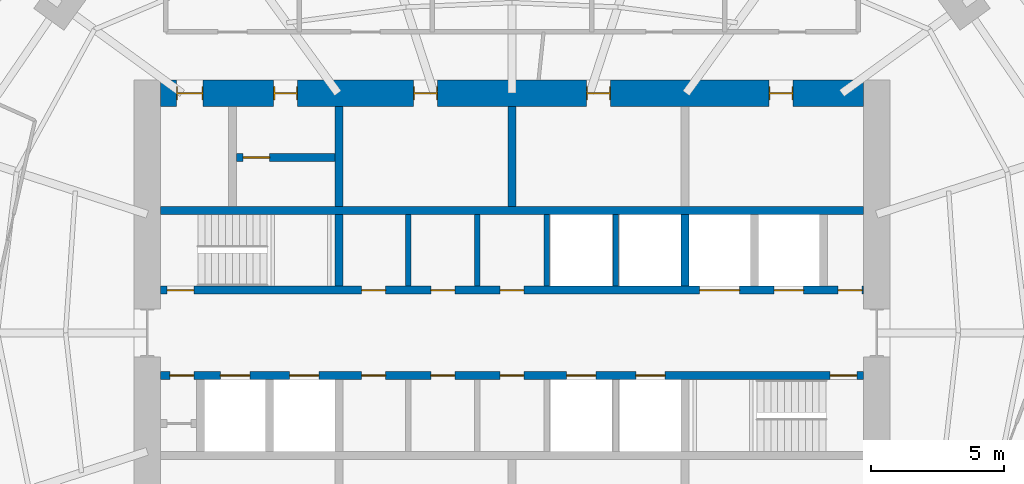
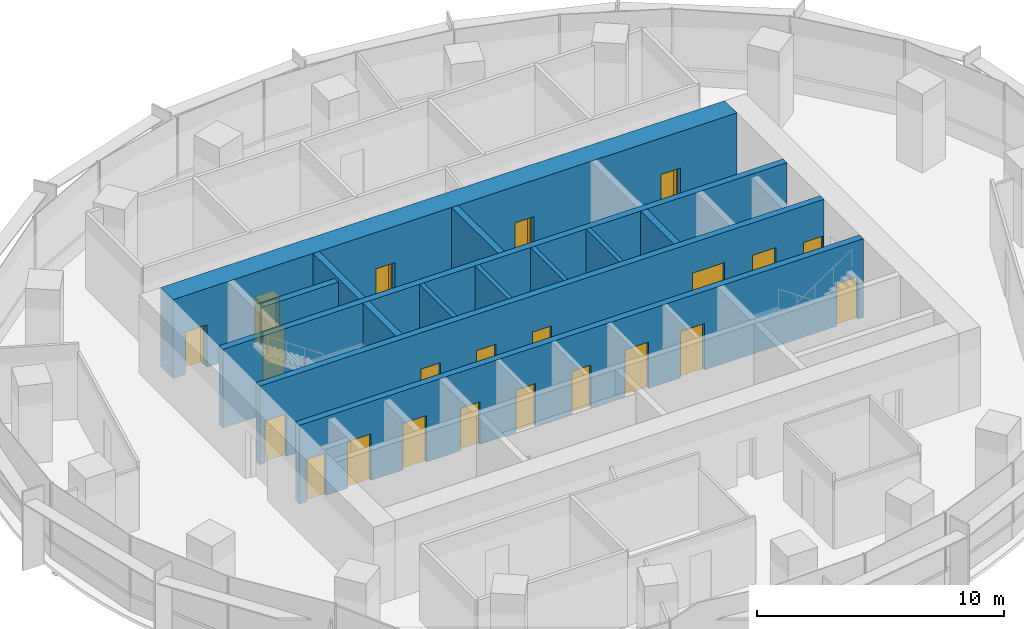
# One storey, part 11 of 14: 22 doors, 13 walls, 22 openings.
"""IFC4 building model written with IfcOpenShell, lengths in metres."""

from ifc_helpers import new_model, si_unit, direction, frame, frame_2d, origin, place, context, subcontext, project, spatial, rectangle, extrude, material, layer, layer_set, type_object, element, fill, save


model = new_model("IFC4")

# Units and contexts
model_context = context("Model", 3, precision=1e-05, world=origin(), true_north=direction((0.0, 1.0)))
body_context = subcontext(model_context, "Body", "Model", "MODEL_VIEW")
ifc_project = project(units=[si_unit("LENGTHUNIT", "METRE"), si_unit("AREAUNIT", "SQUARE_METRE"), si_unit("VOLUMEUNIT", "CUBIC_METRE"), si_unit("PLANEANGLEUNIT", "RADIAN"), si_unit("MASSUNIT", "GRAM", prefix="KILO")], contexts=[model_context])

# Site, building, storey
site_placement = place(None, origin())
site = spatial("IfcSite", under=ifc_project, at=site_placement, CompositionType="ELEMENT")
building_placement = place(site_placement, origin())
building = spatial("IfcBuilding", under=site, at=building_placement, Name="Marramba Exchange Tower", CompositionType="ELEMENT")
storey_placement = place(building_placement, frame((0.0, 0.0, 238.39990234375)))
storey = spatial("IfcBuildingStorey", under=building, at=storey_placement, Name="L58", CompositionType="ELEMENT", Elevation=238.39990234375)

# Walls
ifc_material_1 = material(Name="Concrete N50", Category="concrete")
ifc_layer_1 = layer(ifc_material_1, 0.199951171875)
ifc_layer_set_1 = layer_set([ifc_layer_1], Name="Core shaft wall 200")
wall_type_1 = type_object("IfcWallType", Name="Core shaft wall 200", PredefinedType="SHEAR", material=ifc_layer_set_1)
for number, where, z_axis, x_axis, name in (
    (1, (-3.89990234375, 1.75, 0.0), (0.0, 0.0, 1.0), (0.0, 1.0, 0.0), "Core wall SHN1 L58"),
    (2, (-1.300048828125, 1.75, 0.0), (0.0, 0.0, 1.0), (0.0, 1.0, 0.0), "Core wall SHN2 L58"),
    (3, (1.300048828125, 1.75, 0.0), (0.0, 0.0, 1.0), (0.0, 1.0, 0.0), "Core wall SHN3 L58"),
    (4, (3.89990234375, 1.75, 0.0), (0.0, 0.0, 1.0), (0.0, 1.0, 0.0), "Core wall SHN4 L58"),
):
    element("IfcWall", number, at=place(storey_placement, frame(where, z_axis=z_axis, x_axis=x_axis)), inside=storey, type_object=wall_type_1, Name=name, PredefinedType="SHEAR", context=body_context, shape_type="SweptSolid", body=[
        extrude(rectangle(XDim=2.699951171875, YDim=0.199951171875, at=frame_2d((1.35009765625, 0.0))), origin(), (0.0, 0.0, 1.0), 3.900146484375),
    ])

# Wall, openings, doors
ifc_layer_2 = layer(ifc_material_1, 1.0)
ifc_layer_set_2 = layer_set([ifc_layer_2], Name="Core wall 1000")
wall_type_2 = type_object("IfcWallType", Name="Core wall 1000", PredefinedType="SHEAR", material=ifc_layer_set_2)
wall_1_placement = place(storey_placement, frame((13.199951171875, 9.0, 0.0), z_axis=(0.0, 0.0, 1.0), x_axis=(-1.0, 0.0, 0.0)))
wall_1 = element("IfcWall", 5, at=wall_1_placement, inside=storey, type_object=wall_type_2, Name="Core wall N L58", PredefinedType="SHEAR", context=body_context, shape_type="SweptSolid", body=[
    extrude(rectangle(XDim=26.39990234375, YDim=1.0, at=frame_2d((13.199951171875, 0.0))), origin(), (0.0, 0.0, 1.0), 3.900146484375),
])
opening_1_placement = place(wall_1_placement, frame((2.64990234375, 0.0, 0.0)))
opening_1 = element("IfcOpeningElement", 6, at=opening_1_placement, cuts=wall_1, Name="Opening D5", PredefinedType="OPENING", context=body_context, shape_type="SweptSolid", body=[
    extrude(rectangle(XDim=0.89990234375, YDim=2.10009765625, at=frame_2d((0.449951171875, 1.050048828125))), frame((0.0, 0.510009765625, 0.0), z_axis=(0.0, -1.0, 0.0), x_axis=(1.0, 0.0, 0.0)), (0.0, 0.0, 1.0), 1.02001953125),
])
opening_2_placement = place(wall_1_placement, frame((9.5, 0.0, 0.0)))
opening_2 = element("IfcOpeningElement", 7, at=opening_2_placement, cuts=wall_1, Name="Opening D3", PredefinedType="OPENING", context=body_context, shape_type="SweptSolid", body=[
    extrude(rectangle(XDim=0.89990234375, YDim=2.10009765625, at=frame_2d((0.449951171875, 1.050048828125))), frame((0.0, 0.510009765625, 0.0), z_axis=(0.0, -1.0, 0.0), x_axis=(1.0, 0.0, 0.0)), (0.0, 0.0, 1.0), 1.02001953125),
])
opening_3_placement = place(wall_1_placement, frame((16.0, 0.0, 0.0)))
opening_3 = element("IfcOpeningElement", 8, at=opening_3_placement, cuts=wall_1, Name="Opening D3", PredefinedType="OPENING", context=body_context, shape_type="SweptSolid", body=[
    extrude(rectangle(XDim=0.89990234375, YDim=2.10009765625, at=frame_2d((0.449951171875, 1.050048828125))), frame((0.0, 0.510009765625, 0.0), z_axis=(0.0, -1.0, 0.0), x_axis=(1.0, 0.0, 0.0)), (0.0, 0.0, 1.0), 1.02001953125),
])
opening_4_placement = place(wall_1_placement, frame((21.25, 0.0, 0.0)))
opening_4 = element("IfcOpeningElement", 9, at=opening_4_placement, cuts=wall_1, Name="Opening D5", PredefinedType="OPENING", context=body_context, shape_type="SweptSolid", body=[
    extrude(rectangle(XDim=0.89990234375, YDim=2.10009765625, at=frame_2d((0.449951171875, 1.050048828125))), frame((0.0, 0.510009765625, 0.0), z_axis=(0.0, -1.0, 0.0), x_axis=(1.0, 0.0, 0.0)), (0.0, 0.0, 1.0), 1.02001953125),
])
opening_5_placement = place(wall_1_placement, frame((24.800048828125, 0.0, 0.0)))
opening_5 = element("IfcOpeningElement", 10, at=opening_5_placement, cuts=wall_1, Name="Opening D4", PredefinedType="OPENING", context=body_context, shape_type="SweptSolid", body=[
    extrude(rectangle(XDim=1.0, YDim=2.10009765625, at=frame_2d((0.5, 1.050048828125))), frame((0.0, 0.510009765625, 0.0), z_axis=(0.0, -1.0, 0.0), x_axis=(1.0, 0.0, 0.0)), (0.0, 0.0, 1.0), 1.02001953125),
])
ifc_material_2 = material(Name="Steel-framed door", Category="steel")
door_type_1 = type_object("IfcDoorType", Name="Accessible toilet door 1000x2100", OperationType="SINGLE_SWING_LEFT", PredefinedType="DOOR", material=ifc_material_2)
door_1_placement = place(opening_5_placement, origin())
door_1 = element("IfcDoor", 11, at=door_1_placement, inside=storey, type_object=door_type_1, Name="D4 awc L58", OperationType="SINGLE_SWING_RIGHT", OverallHeight=2.10009765625, OverallWidth=1.0, PredefinedType="DOOR", context=body_context, shape_type="SweptSolid", body=[
    extrude(rectangle(XDim=0.919921875, YDim=2.06005859375, at=frame_2d((0.5, 1.030029296875))), frame((0.0, 0.02490234375, 0.0), z_axis=(0.0, -1.0, 0.0), x_axis=(1.0, 0.0, 0.0)), (0.0, 0.0, 1.0), 0.050048828125),
    extrude(rectangle(XDim=0.04, YDim=2.10009765625, at=frame_2d((0.02001953125, 1.050048828125))), frame((0.0, 0.25, 0.0), z_axis=(0.0, -1.0, 0.0), x_axis=(1.0, 0.0, 0.0)), (0.0, 0.0, 1.0), 0.5),
    extrude(rectangle(XDim=0.04, YDim=2.10009765625, at=frame_2d((0.97998046875, 1.050048828125))), frame((0.0, 0.25, 0.0), z_axis=(0.0, -1.0, 0.0), x_axis=(1.0, 0.0, 0.0)), (0.0, 0.0, 1.0), 0.5),
    extrude(rectangle(XDim=0.919921875, YDim=0.04, at=frame_2d((0.5, 2.080078125))), frame((0.0, 0.25, 0.0), z_axis=(0.0, -1.0, 0.0), x_axis=(1.0, 0.0, 0.0)), (0.0, 0.0, 1.0), 0.5),
])
fill(opening_5, door_1)
door_type_2 = type_object("IfcDoorType", Name="Service door 900x2100", OperationType="SINGLE_SWING_LEFT", PredefinedType="DOOR", material=ifc_material_2)
door_2_placement = place(opening_1_placement, origin())
door_2 = element("IfcDoor", 12, at=door_2_placement, inside=storey, type_object=door_type_2, Name="D5 comms L58", OperationType="SINGLE_SWING_LEFT", OverallHeight=2.10009765625, OverallWidth=0.89990234375, PredefinedType="DOOR", context=body_context, shape_type="SweptSolid", body=[
    extrude(rectangle(XDim=0.81982421875, YDim=2.06005859375, at=frame_2d((0.449951171875, 1.030029296875))), frame((0.0, 0.02490234375, 0.0), z_axis=(0.0, -1.0, 0.0), x_axis=(1.0, 0.0, 0.0)), (0.0, 0.0, 1.0), 0.050048828125),
    extrude(rectangle(XDim=0.04, YDim=2.10009765625, at=frame_2d((0.02001953125, 1.050048828125))), frame((0.0, 0.25, 0.0), z_axis=(0.0, -1.0, 0.0), x_axis=(1.0, 0.0, 0.0)), (0.0, 0.0, 1.0), 0.5),
    extrude(rectangle(XDim=0.04, YDim=2.10009765625, at=frame_2d((0.8798828125, 1.050048828125))), frame((0.0, 0.25, 0.0), z_axis=(0.0, -1.0, 0.0), x_axis=(1.0, 0.0, 0.0)), (0.0, 0.0, 1.0), 0.5),
    extrude(rectangle(XDim=0.81982421875, YDim=0.04, at=frame_2d((0.449951171875, 2.080078125))), frame((0.0, 0.25, 0.0), z_axis=(0.0, -1.0, 0.0), x_axis=(1.0, 0.0, 0.0)), (0.0, 0.0, 1.0), 0.5),
])
fill(opening_1, door_2)
door_3_placement = place(opening_4_placement, origin())
door_3 = element("IfcDoor", 13, at=door_3_placement, inside=storey, type_object=door_type_2, Name="D5 cleaner L58", OperationType="SINGLE_SWING_RIGHT", OverallHeight=2.10009765625, OverallWidth=0.89990234375, PredefinedType="DOOR", context=body_context, shape_type="SweptSolid", body=[
    extrude(rectangle(XDim=0.81982421875, YDim=2.06005859375, at=frame_2d((0.449951171875, 1.030029296875))), frame((0.0, 0.02490234375, 0.0), z_axis=(0.0, -1.0, 0.0), x_axis=(1.0, 0.0, 0.0)), (0.0, 0.0, 1.0), 0.050048828125),
    extrude(rectangle(XDim=0.04, YDim=2.10009765625, at=frame_2d((0.02001953125, 1.050048828125))), frame((0.0, 0.25, 0.0), z_axis=(0.0, -1.0, 0.0), x_axis=(1.0, 0.0, 0.0)), (0.0, 0.0, 1.0), 0.5),
    extrude(rectangle(XDim=0.04, YDim=2.10009765625, at=frame_2d((0.8798828125, 1.050048828125))), frame((0.0, 0.25, 0.0), z_axis=(0.0, -1.0, 0.0), x_axis=(1.0, 0.0, 0.0)), (0.0, 0.0, 1.0), 0.5),
    extrude(rectangle(XDim=0.81982421875, YDim=0.04, at=frame_2d((0.449951171875, 2.080078125))), frame((0.0, 0.25, 0.0), z_axis=(0.0, -1.0, 0.0), x_axis=(1.0, 0.0, 0.0)), (0.0, 0.0, 1.0), 0.5),
])
fill(opening_4, door_3)
door_type_3 = type_object("IfcDoorType", Name="Toilet door 900x2100", OperationType="SINGLE_SWING_LEFT", PredefinedType="DOOR", material=ifc_material_2)
door_4_placement = place(opening_2_placement, origin())
door_4 = element("IfcDoor", 14, at=door_4_placement, inside=storey, type_object=door_type_3, Name="D3 wc-f L58", OperationType="SINGLE_SWING_RIGHT", OverallHeight=2.10009765625, OverallWidth=0.89990234375, PredefinedType="DOOR", context=body_context, shape_type="SweptSolid", body=[
    extrude(rectangle(XDim=0.81982421875, YDim=2.06005859375, at=frame_2d((0.449951171875, 1.030029296875))), frame((0.0, 0.02490234375, 0.0), z_axis=(0.0, -1.0, 0.0), x_axis=(1.0, 0.0, 0.0)), (0.0, 0.0, 1.0), 0.050048828125),
    extrude(rectangle(XDim=0.04, YDim=2.10009765625, at=frame_2d((0.02001953125, 1.050048828125))), frame((0.0, 0.25, 0.0), z_axis=(0.0, -1.0, 0.0), x_axis=(1.0, 0.0, 0.0)), (0.0, 0.0, 1.0), 0.5),
    extrude(rectangle(XDim=0.04, YDim=2.10009765625, at=frame_2d((0.8798828125, 1.050048828125))), frame((0.0, 0.25, 0.0), z_axis=(0.0, -1.0, 0.0), x_axis=(1.0, 0.0, 0.0)), (0.0, 0.0, 1.0), 0.5),
    extrude(rectangle(XDim=0.81982421875, YDim=0.04, at=frame_2d((0.449951171875, 2.080078125))), frame((0.0, 0.25, 0.0), z_axis=(0.0, -1.0, 0.0), x_axis=(1.0, 0.0, 0.0)), (0.0, 0.0, 1.0), 0.5),
])
fill(opening_2, door_4)
door_5_placement = place(opening_3_placement, origin())
door_5 = element("IfcDoor", 15, at=door_5_placement, inside=storey, type_object=door_type_3, Name="D3 wc-m L58", OperationType="SINGLE_SWING_RIGHT", OverallHeight=2.10009765625, OverallWidth=0.89990234375, PredefinedType="DOOR", context=body_context, shape_type="SweptSolid", body=[
    extrude(rectangle(XDim=0.81982421875, YDim=2.06005859375, at=frame_2d((0.449951171875, 1.030029296875))), frame((0.0, 0.02490234375, 0.0), z_axis=(0.0, -1.0, 0.0), x_axis=(1.0, 0.0, 0.0)), (0.0, 0.0, 1.0), 0.050048828125),
    extrude(rectangle(XDim=0.04, YDim=2.10009765625, at=frame_2d((0.02001953125, 1.050048828125))), frame((0.0, 0.25, 0.0), z_axis=(0.0, -1.0, 0.0), x_axis=(1.0, 0.0, 0.0)), (0.0, 0.0, 1.0), 0.5),
    extrude(rectangle(XDim=0.04, YDim=2.10009765625, at=frame_2d((0.8798828125, 1.050048828125))), frame((0.0, 0.25, 0.0), z_axis=(0.0, -1.0, 0.0), x_axis=(1.0, 0.0, 0.0)), (0.0, 0.0, 1.0), 0.5),
    extrude(rectangle(XDim=0.81982421875, YDim=0.04, at=frame_2d((0.449951171875, 2.080078125))), frame((0.0, 0.25, 0.0), z_axis=(0.0, -1.0, 0.0), x_axis=(1.0, 0.0, 0.0)), (0.0, 0.0, 1.0), 0.5),
])
fill(opening_3, door_5)

ifc_layer_3 = layer(ifc_material_1, 0.300048828125)
ifc_layer_set_3 = layer_set([ifc_layer_3], Name="Core wall 300")
wall_type_3 = type_object("IfcWallType", Name="Core wall 300", PredefinedType="SHEAR", material=ifc_layer_set_3)
wall_2_placement = place(storey_placement, frame((-13.199951171875, 1.60009765625, 0.0), z_axis=(0.0, 0.0, 1.0), x_axis=(1.0, 0.0, 0.0)))
wall_2 = element("IfcWall", 16, at=wall_2_placement, inside=storey, type_object=wall_type_3, Name="Core wall LN L58", PredefinedType="SHEAR", context=body_context, shape_type="SweptSolid", body=[
    extrude(rectangle(XDim=26.39990234375, YDim=0.300048828125, at=frame_2d((13.199951171875, 0.0))), origin(), (0.0, 0.0, 1.0), 3.900146484375),
])
opening_6_placement = place(wall_2_placement, frame((0.25, 0.0, 0.0)))
opening_6 = element("IfcOpeningElement", 17, at=opening_6_placement, cuts=wall_2, Name="Opening D2", PredefinedType="OPENING", context=body_context, shape_type="SweptSolid", body=[
    extrude(rectangle(XDim=1.0, YDim=2.10009765625, at=frame_2d((0.5, 1.050048828125))), frame((0.0, 0.159912109375, 0.0), z_axis=(0.0, -1.0, 0.0), x_axis=(1.0, 0.0, 0.0)), (0.0, 0.0, 1.0), 0.320068359375),
])
opening_7_placement = place(wall_2_placement, frame((23.050048828125, 0.0, 0.0)))
opening_7 = element("IfcOpeningElement", 18, at=opening_7_placement, cuts=wall_2, Name="Opening LD1", PredefinedType="OPENING", context=body_context, shape_type="SweptSolid", body=[
    extrude(rectangle(XDim=1.10009765625, YDim=2.300048828125, at=frame_2d((0.550048828125, 1.14990234375))), frame((0.0, 0.159912109375, 0.0), z_axis=(0.0, -1.0, 0.0), x_axis=(1.0, 0.0, 0.0)), (0.0, 0.0, 1.0), 0.320068359375),
])
opening_8_placement = place(wall_2_placement, frame((20.25, 0.0, 0.0)))
opening_8 = element("IfcOpeningElement", 19, at=opening_8_placement, cuts=wall_2, Name="Opening LD3", PredefinedType="OPENING", context=body_context, shape_type="SweptSolid", body=[
    extrude(rectangle(XDim=1.5, YDim=2.39990234375, at=frame_2d((0.75, 1.199951171875))), frame((0.0, 0.159912109375, 0.0), z_axis=(0.0, -1.0, 0.0), x_axis=(1.0, 0.0, 0.0)), (0.0, 0.0, 1.0), 0.320068359375),
])
opening_9_placement = place(wall_2_placement, frame((7.550048828125, 0.0, 0.0)))
opening_9 = element("IfcOpeningElement", 20, at=opening_9_placement, cuts=wall_2, Name="Opening D5", PredefinedType="OPENING", context=body_context, shape_type="SweptSolid", body=[
    extrude(rectangle(XDim=0.89990234375, YDim=2.10009765625, at=frame_2d((0.449951171875, 1.050048828125))), frame((0.0, 0.159912109375, 0.0), z_axis=(0.0, -1.0, 0.0), x_axis=(1.0, 0.0, 0.0)), (0.0, 0.0, 1.0), 0.320068359375),
])
opening_10_placement = place(wall_2_placement, frame((10.14990234375, 0.0, 0.0)))
opening_10 = element("IfcOpeningElement", 21, at=opening_10_placement, cuts=wall_2, Name="Opening D5", PredefinedType="OPENING", context=body_context, shape_type="SweptSolid", body=[
    extrude(rectangle(XDim=0.89990234375, YDim=2.10009765625, at=frame_2d((0.449951171875, 1.050048828125))), frame((0.0, 0.159912109375, 0.0), z_axis=(0.0, -1.0, 0.0), x_axis=(1.0, 0.0, 0.0)), (0.0, 0.0, 1.0), 0.320068359375),
])
opening_11_placement = place(wall_2_placement, frame((12.75, 0.0, 0.0)))
opening_11 = element("IfcOpeningElement", 22, at=opening_11_placement, cuts=wall_2, Name="Opening D5", PredefinedType="OPENING", context=body_context, shape_type="SweptSolid", body=[
    extrude(rectangle(XDim=0.89990234375, YDim=2.10009765625, at=frame_2d((0.449951171875, 1.050048828125))), frame((0.0, 0.159912109375, 0.0), z_axis=(0.0, -1.0, 0.0), x_axis=(1.0, 0.0, 0.0)), (0.0, 0.0, 1.0), 0.320068359375),
])
opening_12_placement = place(wall_2_placement, frame((25.449951171875, 0.0, 0.0)))
opening_12 = element("IfcOpeningElement", 23, at=opening_12_placement, cuts=wall_2, Name="Opening D5", PredefinedType="OPENING", context=body_context, shape_type="SweptSolid", body=[
    extrude(rectangle(XDim=0.89990234375, YDim=2.10009765625, at=frame_2d((0.449951171875, 1.050048828125))), frame((0.0, 0.159912109375, 0.0), z_axis=(0.0, -1.0, 0.0), x_axis=(1.0, 0.0, 0.0)), (0.0, 0.0, 1.0), 0.320068359375),
])
door_type_4 = type_object("IfcDoorType", Name="Goods lift landing door 1500x2400", OperationType="SLIDING_TO_LEFT", PredefinedType="DOOR", material=ifc_material_2)
door_6_placement = place(opening_8_placement, origin())
door_6 = element("IfcDoor", 24, at=door_6_placement, inside=storey, type_object=door_type_4, Name="GL1 landing door L58", OperationType="SLIDING_TO_LEFT", OverallHeight=2.39990234375, OverallWidth=1.5, PredefinedType="DOOR", context=body_context, shape_type="SweptSolid", body=[
    extrude(rectangle(XDim=1.5, YDim=2.39990234375, at=frame_2d((0.75, 1.199951171875))), frame((0.0, 0.02490234375, 0.0), z_axis=(0.0, -1.0, 0.0), x_axis=(1.0, 0.0, 0.0)), (0.0, 0.0, 1.0), 0.050048828125),
])
fill(opening_8, door_6)
door_type_5 = type_object("IfcDoorType", Name="Lift landing door 1100x2300", OperationType="SLIDING_TO_LEFT", PredefinedType="DOOR", material=ifc_material_2)
door_7_placement = place(opening_7_placement, origin())
door_7 = element("IfcDoor", 25, at=door_7_placement, inside=storey, type_object=door_type_5, Name="LC3 landing door L58", OperationType="SLIDING_TO_LEFT", OverallHeight=2.300048828125, OverallWidth=1.10009765625, PredefinedType="DOOR", context=body_context, shape_type="SweptSolid", body=[
    extrude(rectangle(XDim=1.10009765625, YDim=2.300048828125, at=frame_2d((0.550048828125, 1.14990234375))), frame((0.0, 0.02490234375, 0.0), z_axis=(0.0, -1.0, 0.0), x_axis=(1.0, 0.0, 0.0)), (0.0, 0.0, 1.0), 0.050048828125),
])
fill(opening_7, door_7)
door_8_placement = place(opening_9_placement, origin())
door_8 = element("IfcDoor", 26, at=door_8_placement, inside=storey, type_object=door_type_2, Name="D5 stationery store L58", OperationType="SINGLE_SWING_RIGHT", OverallHeight=2.10009765625, OverallWidth=0.89990234375, PredefinedType="DOOR", context=body_context, shape_type="SweptSolid", body=[
    extrude(rectangle(XDim=0.89990234375, YDim=2.10009765625, at=frame_2d((0.449951171875, 1.050048828125))), frame((0.0, 0.02490234375, 0.0), z_axis=(0.0, -1.0, 0.0), x_axis=(1.0, 0.0, 0.0)), (0.0, 0.0, 1.0), 0.050048828125),
])
fill(opening_9, door_8)
door_9_placement = place(opening_10_placement, origin())
door_9 = element("IfcDoor", 27, at=door_9_placement, inside=storey, type_object=door_type_2, Name="D5 switch room L58", OperationType="SINGLE_SWING_RIGHT", OverallHeight=2.10009765625, OverallWidth=0.89990234375, PredefinedType="DOOR", context=body_context, shape_type="SweptSolid", body=[
    extrude(rectangle(XDim=0.89990234375, YDim=2.10009765625, at=frame_2d((0.449951171875, 1.050048828125))), frame((0.0, 0.02490234375, 0.0), z_axis=(0.0, -1.0, 0.0), x_axis=(1.0, 0.0, 0.0)), (0.0, 0.0, 1.0), 0.050048828125),
])
fill(opening_10, door_9)
door_10_placement = place(opening_11_placement, origin())
door_10 = element("IfcDoor", 28, at=door_10_placement, inside=storey, type_object=door_type_2, Name="D5 cleaner store L58", OperationType="SINGLE_SWING_RIGHT", OverallHeight=2.10009765625, OverallWidth=0.89990234375, PredefinedType="DOOR", context=body_context, shape_type="SweptSolid", body=[
    extrude(rectangle(XDim=0.89990234375, YDim=2.10009765625, at=frame_2d((0.449951171875, 1.050048828125))), frame((0.0, 0.02490234375, 0.0), z_axis=(0.0, -1.0, 0.0), x_axis=(1.0, 0.0, 0.0)), (0.0, 0.0, 1.0), 0.050048828125),
])
fill(opening_11, door_10)
door_11_placement = place(opening_12_placement, origin())
door_11 = element("IfcDoor", 29, at=door_11_placement, inside=storey, type_object=door_type_2, Name="D5 riser L58", OperationType="SINGLE_SWING_RIGHT", OverallHeight=2.10009765625, OverallWidth=0.89990234375, PredefinedType="DOOR", context=body_context, shape_type="SweptSolid", body=[
    extrude(rectangle(XDim=0.89990234375, YDim=2.10009765625, at=frame_2d((0.449951171875, 1.050048828125))), frame((0.0, 0.02490234375, 0.0), z_axis=(0.0, -1.0, 0.0), x_axis=(1.0, 0.0, 0.0)), (0.0, 0.0, 1.0), 0.050048828125),
])
fill(opening_12, door_11)
door_type_6 = type_object("IfcDoorType", Name="Stair door 1000x2100", OperationType="SINGLE_SWING_LEFT", PredefinedType="DOOR", material=ifc_material_2)
door_12_placement = place(opening_6_placement, origin())
door_12 = element("IfcDoor", 30, at=door_12_placement, inside=storey, type_object=door_type_6, Name="D2 stair ST1 L58", OperationType="SINGLE_SWING_LEFT", OverallHeight=2.10009765625, OverallWidth=1.0, PredefinedType="DOOR", context=body_context, shape_type="SweptSolid", body=[
    extrude(rectangle(XDim=1.0, YDim=2.10009765625, at=frame_2d((0.5, 1.050048828125))), frame((0.0, 0.02490234375, 0.0), z_axis=(0.0, -1.0, 0.0), x_axis=(1.0, 0.0, 0.0)), (0.0, 0.0, 1.0), 0.050048828125),
])
fill(opening_6, door_12)

wall_3_placement = place(storey_placement, frame((-13.199951171875, -1.60009765625, 0.0), z_axis=(0.0, 0.0, 1.0), x_axis=(1.0, 0.0, 0.0)))
wall_3 = element("IfcWall", 31, at=wall_3_placement, inside=storey, type_object=wall_type_3, Name="Core wall LS L58", PredefinedType="SHEAR", context=body_context, shape_type="SweptSolid", body=[
    extrude(rectangle(XDim=26.39990234375, YDim=0.300048828125, at=frame_2d((13.199951171875, 0.0))), origin(), (0.0, 0.0, 1.0), 3.900146484375),
])
opening_13_placement = place(wall_3_placement, frame((25.14990234375, 0.0, 0.0)))
opening_13 = element("IfcOpeningElement", 32, at=opening_13_placement, cuts=wall_3, Name="Opening D2", PredefinedType="OPENING", context=body_context, shape_type="SweptSolid", body=[
    extrude(rectangle(XDim=1.0, YDim=2.10009765625, at=frame_2d((0.5, 1.050048828125))), frame((0.0, 0.159912109375, 0.0), z_axis=(0.0, -1.0, 0.0), x_axis=(1.0, 0.0, 0.0)), (0.0, 0.0, 1.0), 0.320068359375),
])
opening_14_placement = place(wall_3_placement, frame((7.550048828125, 0.0, 0.0)))
opening_14 = element("IfcOpeningElement", 33, at=opening_14_placement, cuts=wall_3, Name="Opening D5", PredefinedType="OPENING", context=body_context, shape_type="SweptSolid", body=[
    extrude(rectangle(XDim=0.89990234375, YDim=2.10009765625, at=frame_2d((0.449951171875, 1.050048828125))), frame((0.0, 0.159912109375, 0.0), z_axis=(0.0, -1.0, 0.0), x_axis=(1.0, 0.0, 0.0)), (0.0, 0.0, 1.0), 0.320068359375),
])
opening_15_placement = place(wall_3_placement, frame((10.14990234375, 0.0, 0.0)))
opening_15 = element("IfcOpeningElement", 34, at=opening_15_placement, cuts=wall_3, Name="Opening D5", PredefinedType="OPENING", context=body_context, shape_type="SweptSolid", body=[
    extrude(rectangle(XDim=0.89990234375, YDim=2.10009765625, at=frame_2d((0.449951171875, 1.050048828125))), frame((0.0, 0.159912109375, 0.0), z_axis=(0.0, -1.0, 0.0), x_axis=(1.0, 0.0, 0.0)), (0.0, 0.0, 1.0), 0.320068359375),
])
opening_16_placement = place(wall_3_placement, frame((12.75, 0.0, 0.0)))
opening_16 = element("IfcOpeningElement", 35, at=opening_16_placement, cuts=wall_3, Name="Opening D3", PredefinedType="OPENING", context=body_context, shape_type="SweptSolid", body=[
    extrude(rectangle(XDim=0.89990234375, YDim=2.10009765625, at=frame_2d((0.449951171875, 1.050048828125))), frame((0.0, 0.159912109375, 0.0), z_axis=(0.0, -1.0, 0.0), x_axis=(1.0, 0.0, 0.0)), (0.0, 0.0, 1.0), 0.320068359375),
])
opening_17_placement = place(wall_3_placement, frame((15.25, 0.0, 0.0)))
opening_17 = element("IfcOpeningElement", 36, at=opening_17_placement, cuts=wall_3, Name="Opening LD2", PredefinedType="OPENING", context=body_context, shape_type="SweptSolid", body=[
    extrude(rectangle(XDim=1.10009765625, YDim=2.300048828125, at=frame_2d((0.550048828125, 1.14990234375))), frame((0.0, 0.159912109375, 0.0), z_axis=(0.0, -1.0, 0.0), x_axis=(1.0, 0.0, 0.0)), (0.0, 0.0, 1.0), 0.320068359375),
])
opening_18_placement = place(wall_3_placement, frame((17.85009765625, 0.0, 0.0)))
opening_18 = element("IfcOpeningElement", 37, at=opening_18_placement, cuts=wall_3, Name="Opening LD2", PredefinedType="OPENING", context=body_context, shape_type="SweptSolid", body=[
    extrude(rectangle(XDim=1.10009765625, YDim=2.300048828125, at=frame_2d((0.550048828125, 1.14990234375))), frame((0.0, 0.159912109375, 0.0), z_axis=(0.0, -1.0, 0.0), x_axis=(1.0, 0.0, 0.0)), (0.0, 0.0, 1.0), 0.320068359375),
])
opening_19_placement = place(wall_3_placement, frame((4.85009765625, 0.0, 0.0)))
opening_19 = element("IfcOpeningElement", 38, at=opening_19_placement, cuts=wall_3, Name="Opening LD1", PredefinedType="OPENING", context=body_context, shape_type="SweptSolid", body=[
    extrude(rectangle(XDim=1.10009765625, YDim=2.300048828125, at=frame_2d((0.550048828125, 1.14990234375))), frame((0.0, 0.159912109375, 0.0), z_axis=(0.0, -1.0, 0.0), x_axis=(1.0, 0.0, 0.0)), (0.0, 0.0, 1.0), 0.320068359375),
])
opening_20_placement = place(wall_3_placement, frame((2.25, 0.0, 0.0)))
opening_20 = element("IfcOpeningElement", 39, at=opening_20_placement, cuts=wall_3, Name="Opening LD1", PredefinedType="OPENING", context=body_context, shape_type="SweptSolid", body=[
    extrude(rectangle(XDim=1.10009765625, YDim=2.300048828125, at=frame_2d((0.550048828125, 1.14990234375))), frame((0.0, 0.159912109375, 0.0), z_axis=(0.0, -1.0, 0.0), x_axis=(1.0, 0.0, 0.0)), (0.0, 0.0, 1.0), 0.320068359375),
])
opening_21_placement = place(wall_3_placement, frame((0.35009765625, 0.0, 0.0)))
opening_21 = element("IfcOpeningElement", 40, at=opening_21_placement, cuts=wall_3, Name="Opening D5", PredefinedType="OPENING", context=body_context, shape_type="SweptSolid", body=[
    extrude(rectangle(XDim=0.89990234375, YDim=2.10009765625, at=frame_2d((0.449951171875, 1.050048828125))), frame((0.0, 0.159912109375, 0.0), z_axis=(0.0, -1.0, 0.0), x_axis=(1.0, 0.0, 0.0)), (0.0, 0.0, 1.0), 0.320068359375),
])
door_type_7 = type_object("IfcDoorType", Name="Emergency lift landing door 1100x2300", OperationType="SLIDING_TO_LEFT", PredefinedType="DOOR", material=ifc_material_2)
door_13_placement = place(opening_17_placement, frame((1.10009765625, 0.0, 0.0), z_axis=(0.0, 0.0, 1.0), x_axis=(-1.0, 0.0, 0.0)))
door_13 = element("IfcDoor", 41, at=door_13_placement, inside=storey, type_object=door_type_7, Name="FL1 landing door L58", OperationType="SLIDING_TO_RIGHT", OverallHeight=2.300048828125, OverallWidth=1.10009765625, PredefinedType="DOOR", context=body_context, shape_type="SweptSolid", body=[
    extrude(rectangle(XDim=1.10009765625, YDim=2.300048828125, at=frame_2d((0.550048828125, 1.14990234375))), frame((0.0, 0.025146484375, 0.0), z_axis=(0.0, -1.0, 0.0), x_axis=(1.0, 0.0, 0.0)), (0.0, 0.0, 1.0), 0.050048828125),
])
fill(opening_17, door_13)
door_14_placement = place(opening_18_placement, frame((1.10009765625, 0.0, 0.0), z_axis=(0.0, 0.0, 1.0), x_axis=(-1.0, 0.0, 0.0)))
door_14 = element("IfcDoor", 42, at=door_14_placement, inside=storey, type_object=door_type_7, Name="FL2 landing door L58", OperationType="SLIDING_TO_LEFT", OverallHeight=2.300048828125, OverallWidth=1.10009765625, PredefinedType="DOOR", context=body_context, shape_type="SweptSolid", body=[
    extrude(rectangle(XDim=1.10009765625, YDim=2.300048828125, at=frame_2d((0.550048828125, 1.14990234375))), frame((0.0, 0.025146484375, 0.0), z_axis=(0.0, -1.0, 0.0), x_axis=(1.0, 0.0, 0.0)), (0.0, 0.0, 1.0), 0.050048828125),
])
fill(opening_18, door_14)
door_15_placement = place(opening_19_placement, frame((1.10009765625, 0.0, 0.0), z_axis=(0.0, 0.0, 1.0), x_axis=(-1.0, 0.0, 0.0)))
door_15 = element("IfcDoor", 43, at=door_15_placement, inside=storey, type_object=door_type_5, Name="LC1 landing door L58", OperationType="SLIDING_TO_LEFT", OverallHeight=2.300048828125, OverallWidth=1.10009765625, PredefinedType="DOOR", context=body_context, shape_type="SweptSolid", body=[
    extrude(rectangle(XDim=1.10009765625, YDim=2.300048828125, at=frame_2d((0.550048828125, 1.14990234375))), frame((0.0, 0.025146484375, 0.0), z_axis=(0.0, -1.0, 0.0), x_axis=(1.0, 0.0, 0.0)), (0.0, 0.0, 1.0), 0.050048828125),
])
fill(opening_19, door_15)
door_16_placement = place(opening_20_placement, frame((1.10009765625, 0.0, 0.0), z_axis=(0.0, 0.0, 1.0), x_axis=(-1.0, 0.0, 0.0)))
door_16 = element("IfcDoor", 44, at=door_16_placement, inside=storey, type_object=door_type_5, Name="LC2 landing door L58", OperationType="SLIDING_TO_LEFT", OverallHeight=2.300048828125, OverallWidth=1.10009765625, PredefinedType="DOOR", context=body_context, shape_type="SweptSolid", body=[
    extrude(rectangle(XDim=1.10009765625, YDim=2.300048828125, at=frame_2d((0.550048828125, 1.14990234375))), frame((0.0, 0.025146484375, 0.0), z_axis=(0.0, -1.0, 0.0), x_axis=(1.0, 0.0, 0.0)), (0.0, 0.0, 1.0), 0.050048828125),
])
fill(opening_20, door_16)
door_17_placement = place(opening_14_placement, frame((0.89990234375, 0.0, 0.0), z_axis=(0.0, 0.0, 1.0), x_axis=(-1.0, 0.0, 0.0)))
door_17 = element("IfcDoor", 45, at=door_17_placement, inside=storey, type_object=door_type_2, Name="D5 general store L58", OperationType="SINGLE_SWING_RIGHT", OverallHeight=2.10009765625, OverallWidth=0.89990234375, PredefinedType="DOOR", context=body_context, shape_type="SweptSolid", body=[
    extrude(rectangle(XDim=0.89990234375, YDim=2.10009765625, at=frame_2d((0.449951171875, 1.050048828125))), frame((0.0, 0.025146484375, 0.0), z_axis=(0.0, -1.0, 0.0), x_axis=(1.0, 0.0, 0.0)), (0.0, 0.0, 1.0), 0.050048828125),
])
fill(opening_14, door_17)
door_18_placement = place(opening_15_placement, frame((0.89990234375, 0.0, 0.0), z_axis=(0.0, 0.0, 1.0), x_axis=(-1.0, 0.0, 0.0)))
door_18 = element("IfcDoor", 46, at=door_18_placement, inside=storey, type_object=door_type_2, Name="D5 store n1 L58", OperationType="SINGLE_SWING_RIGHT", OverallHeight=2.10009765625, OverallWidth=0.89990234375, PredefinedType="DOOR", context=body_context, shape_type="SweptSolid", body=[
    extrude(rectangle(XDim=0.89990234375, YDim=2.10009765625, at=frame_2d((0.449951171875, 1.050048828125))), frame((0.0, 0.025146484375, 0.0), z_axis=(0.0, -1.0, 0.0), x_axis=(1.0, 0.0, 0.0)), (0.0, 0.0, 1.0), 0.050048828125),
])
fill(opening_15, door_18)
door_19_placement = place(opening_21_placement, frame((0.89990234375, 0.0, 0.0), z_axis=(0.0, 0.0, 1.0), x_axis=(-1.0, 0.0, 0.0)))
door_19 = element("IfcDoor", 47, at=door_19_placement, inside=storey, type_object=door_type_2, Name="D5 electrical riser L58", OperationType="SINGLE_SWING_LEFT", OverallHeight=2.10009765625, OverallWidth=0.89990234375, PredefinedType="DOOR", context=body_context, shape_type="SweptSolid", body=[
    extrude(rectangle(XDim=0.89990234375, YDim=2.10009765625, at=frame_2d((0.449951171875, 1.050048828125))), frame((0.0, 0.025146484375, 0.0), z_axis=(0.0, -1.0, 0.0), x_axis=(1.0, 0.0, 0.0)), (0.0, 0.0, 1.0), 0.050048828125),
])
fill(opening_21, door_19)
door_20_placement = place(opening_13_placement, frame((1.0, 0.0, 0.0), z_axis=(0.0, 0.0, 1.0), x_axis=(-1.0, 0.0, 0.0)))
door_20 = element("IfcDoor", 48, at=door_20_placement, inside=storey, type_object=door_type_6, Name="D2 stair ST2 L58", OperationType="SINGLE_SWING_LEFT", OverallHeight=2.10009765625, OverallWidth=1.0, PredefinedType="DOOR", context=body_context, shape_type="SweptSolid", body=[
    extrude(rectangle(XDim=1.0, YDim=2.10009765625, at=frame_2d((0.5, 1.050048828125))), frame((0.0, 0.025146484375, 0.0), z_axis=(0.0, -1.0, 0.0), x_axis=(1.0, 0.0, 0.0)), (0.0, 0.0, 1.0), 0.050048828125),
])
fill(opening_13, door_20)
door_21_placement = place(opening_16_placement, frame((0.89990234375, 0.0, 0.0), z_axis=(0.0, 0.0, 1.0), x_axis=(-1.0, 0.0, 0.0)))
door_21 = element("IfcDoor", 49, at=door_21_placement, inside=storey, type_object=door_type_3, Name="D3 staff wc n2 L58", OperationType="SINGLE_SWING_RIGHT", OverallHeight=2.10009765625, OverallWidth=0.89990234375, PredefinedType="DOOR", context=body_context, shape_type="SweptSolid", body=[
    extrude(rectangle(XDim=0.89990234375, YDim=2.10009765625, at=frame_2d((0.449951171875, 1.050048828125))), frame((0.0, 0.025146484375, 0.0), z_axis=(0.0, -1.0, 0.0), x_axis=(1.0, 0.0, 0.0)), (0.0, 0.0, 1.0), 0.050048828125),
])
fill(opening_16, door_21)

# Walls
wall_4_placement = place(storey_placement, frame((-13.199951171875, 4.60009765625, 0.0), z_axis=(0.0, 0.0, 1.0), x_axis=(1.0, 0.0, 0.0)))
element("IfcWall", 50, at=wall_4_placement, inside=storey, type_object=wall_type_3, Name="Core wall BN L58", PredefinedType="SHEAR", context=body_context, shape_type="SweptSolid", body=[
    extrude(rectangle(XDim=26.39990234375, YDim=0.300048828125, at=frame_2d((13.199951171875, 0.0))), origin(), (0.0, 0.0, 1.0), 3.900146484375),
])
wall_5_placement = place(storey_placement, frame((-6.5, 1.75, 0.0), z_axis=(0.0, 0.0, 1.0), x_axis=(0.0, 1.0, 0.0)))
element("IfcWall", 51, at=wall_5_placement, inside=storey, type_object=wall_type_3, Name="Core wall X0Na L58", PredefinedType="SHEAR", context=body_context, shape_type="SweptSolid", body=[
    extrude(rectangle(XDim=2.699951171875, YDim=0.300048828125, at=frame_2d((1.35009765625, 0.0))), origin(), (0.0, 0.0, 1.0), 3.900146484375),
])
wall_6_placement = place(storey_placement, frame((-6.5, 4.75, 0.0), z_axis=(0.0, 0.0, 1.0), x_axis=(0.0, 1.0, 0.0)))
element("IfcWall", 52, at=wall_6_placement, inside=storey, type_object=wall_type_3, Name="Core wall X0Nb L58", PredefinedType="SHEAR", context=body_context, shape_type="SweptSolid", body=[
    extrude(rectangle(XDim=3.75, YDim=0.300048828125, at=frame_2d((1.875, 0.0))), origin(), (0.0, 0.0, 1.0), 3.900146484375),
])
wall_7_placement = place(storey_placement, frame((6.5, 1.75, 0.0), z_axis=(0.0, 0.0, 1.0), x_axis=(0.0, 1.0, 0.0)))
element("IfcWall", 53, at=wall_7_placement, inside=storey, type_object=wall_type_3, Name="Core wall X1Na L58", PredefinedType="SHEAR", context=body_context, shape_type="SweptSolid", body=[
    extrude(rectangle(XDim=2.699951171875, YDim=0.300048828125, at=frame_2d((1.35009765625, 0.0))), origin(), (0.0, 0.0, 1.0), 3.900146484375),
])
wall_8_placement = place(storey_placement, frame((0.0, 4.75, 0.0), z_axis=(0.0, 0.0, 1.0), x_axis=(0.0, 1.0, 0.0)))
element("IfcWall", 54, at=wall_8_placement, inside=storey, type_object=wall_type_3, Name="Core wall MN L58", PredefinedType="SHEAR", context=body_context, shape_type="SweptSolid", body=[
    extrude(rectangle(XDim=3.75, YDim=0.300048828125, at=frame_2d((1.875, 0.0))), origin(), (0.0, 0.0, 1.0), 3.900146484375),
])

# Wall, opening, door
ifc_material_3 = material(Name="Plasterboard on steel studs, insulated, unrated", Category="steel")
ifc_layer_4 = layer(ifc_material_3, 0.300048828125)
ifc_layer_set_4 = layer_set([ifc_layer_4], Name="Store partition 300")
wall_type_4 = type_object("IfcWallType", Name="Store partition 300", PredefinedType="PARTITIONING", material=ifc_layer_set_4)
wall_9_placement = place(storey_placement, frame((-10.35009765625, 6.580078125, 0.0), z_axis=(0.0, 0.0, 1.0), x_axis=(1.0, 0.0, 0.0)))
wall_9 = element("IfcWall", 55, at=wall_9_placement, inside=storey, type_object=wall_type_4, Name="Store partition L58 cleaner", PredefinedType="PARTITIONING", context=body_context, shape_type="SweptSolid", body=[
    extrude(rectangle(XDim=3.7001953125, YDim=0.300048828125, at=frame_2d((1.85009765625, 0.0))), origin(), (0.0, 0.0, 1.0), 3.739990234375),
])
opening_22_placement = place(wall_9_placement, frame((0.25, 0.0, 0.0)))
opening_22 = element("IfcOpeningElement", 56, at=opening_22_placement, cuts=wall_9, Name="Opening D9", PredefinedType="OPENING", context=body_context, shape_type="SweptSolid", body=[
    extrude(rectangle(XDim=1.0, YDim=2.39990234375, at=frame_2d((0.5, 1.199951171875))), frame((0.0, 0.159912109375, 0.0), z_axis=(0.0, -1.0, 0.0), x_axis=(1.0, 0.0, 0.0)), (0.0, 0.0, 1.0), 0.320068359375),
])
ifc_material_4 = material(Name="Timber door", Category="wood")
door_type_8 = type_object("IfcDoorType", Name="Room door 1000x2400", OperationType="SINGLE_SWING_LEFT", PredefinedType="DOOR", material=ifc_material_4)
door_22_placement = place(opening_22_placement, frame((1.0, 0.0, 0.0), z_axis=(0.0, 0.0, 1.0), x_axis=(-1.0, 0.0, 0.0)))
door_22 = element("IfcDoor", 57, at=door_22_placement, inside=storey, type_object=door_type_8, Name="D9 cleaning store L58", OperationType="SINGLE_SWING_RIGHT", OverallHeight=2.39990234375, OverallWidth=1.0, PredefinedType="DOOR", context=body_context, shape_type="SweptSolid", body=[
    extrude(rectangle(XDim=1.0, YDim=2.39990234375, at=frame_2d((0.5, 1.199951171875))), frame((0.0, 0.025146484375, 0.0), z_axis=(0.0, -1.0, 0.0), x_axis=(1.0, 0.0, 0.0)), (0.0, 0.0, 1.0), 0.050048828125),
])
fill(opening_22, door_22)

save(model, "model.ifc")
